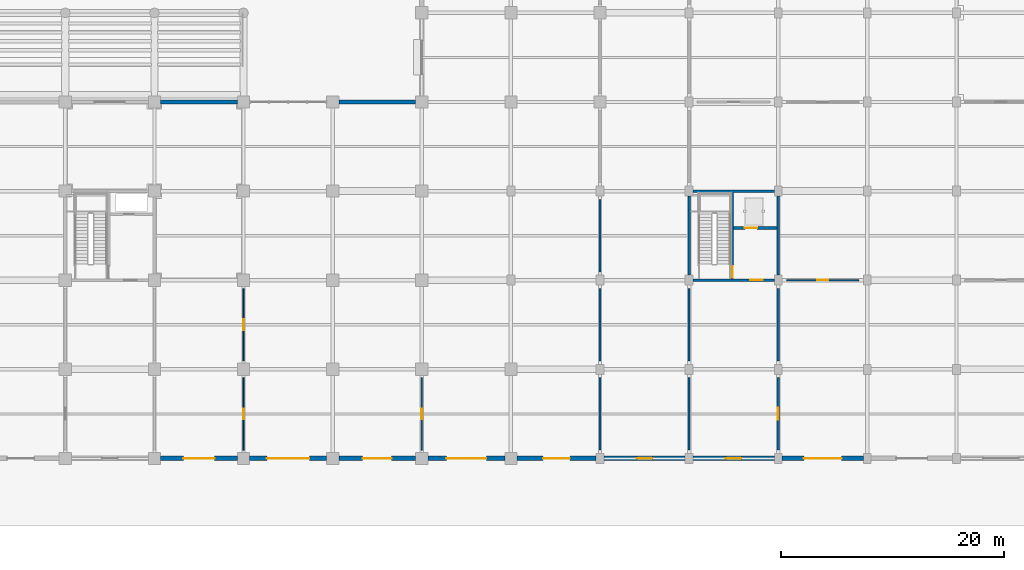
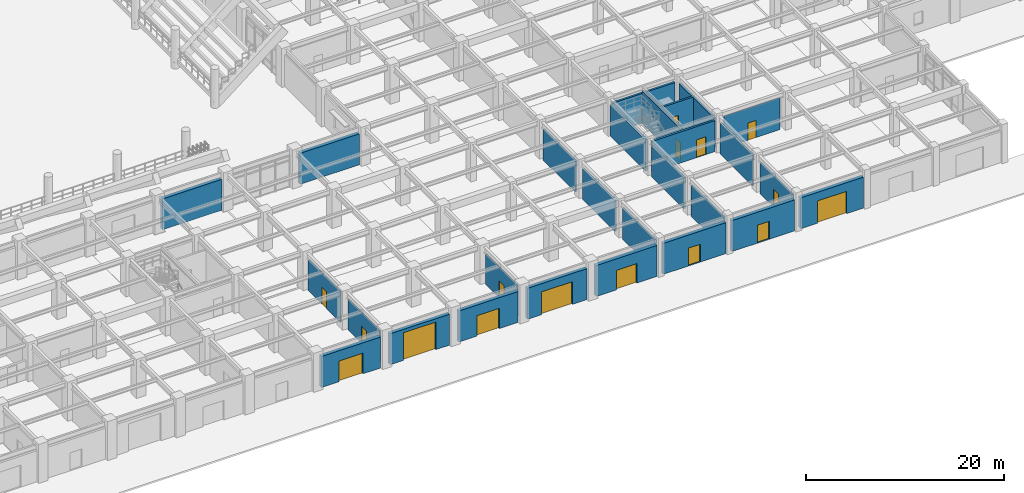
# One storey, part 81 of 125: 27 walls, 16 doors, 16 openings.
"""IFC4 building model written with IfcOpenShell, lengths in metres."""

from ifc_helpers import new_model, si_unit, direction, frame, frame_2d, origin, place, context, subcontext, project, spatial, rectangle, extrude, material, layer, layer_set, type_object, element, fill, save


model = new_model("IFC4")

# Units and contexts
model_context = context("Model", 3, precision=1e-05, world=origin(), true_north=direction((0.0, 1.0)))
body_context = subcontext(model_context, "Body", "Model", "MODEL_VIEW")
ifc_project = project(units=[si_unit("LENGTHUNIT", "METRE"), si_unit("AREAUNIT", "SQUARE_METRE"), si_unit("VOLUMEUNIT", "CUBIC_METRE"), si_unit("PLANEANGLEUNIT", "RADIAN"), si_unit("MASSUNIT", "GRAM", prefix="KILO")], contexts=[model_context])

# Site, building, storey
site_placement = place(None, origin())
site = spatial("IfcSite", under=ifc_project, at=site_placement, CompositionType="ELEMENT")
building_placement = place(site_placement, origin())
building = spatial("IfcBuilding", under=site, at=building_placement, Name="Haebicheon Civic Stadium", CompositionType="ELEMENT")
storey_placement = place(building_placement, origin())
storey = spatial("IfcBuildingStorey", under=building, at=storey_placement, Name="L01", CompositionType="ELEMENT", Elevation=0.0)

# Wall, opening, door
ifc_material_1 = material(Name="Concrete C40/50", Category="concrete")
ifc_layer_1 = layer(ifc_material_1, 0.239990234375, Name="Concrete C40/50")
ifc_layer_set_1 = layer_set([ifc_layer_1], Name="Concrete C40/50")
wall_type_1 = type_object("IfcWallType", Name="CW-SHR-240", PredefinedType="SHEAR", material=ifc_layer_set_1)
wall_1_placement = place(storey_placement, frame((168.35009765625, 16.0, 0.0), z_axis=(0.0, 0.0, 1.0), x_axis=(1.0, 0.0, 0.0)))
wall_1 = element("IfcWall", 1, at=wall_1_placement, inside=storey, type_object=wall_type_1, material=ifc_layer_set_1, Name="KC-14 L01 south core shear wall", PredefinedType="SHEAR", context=body_context, shape_type="SweptSolid", body=[
    extrude(rectangle(XDim=7.2998046875, YDim=0.239990234375, at=frame_2d((3.64990234375, 0.0))), origin(), (0.0, 0.0, 1.0), 3.81005859375),
])
opening_1_placement = place(wall_1_placement, frame((5.14990234375, 0.0, 0.0)))
opening_1 = element("IfcOpeningElement", 2, at=opening_1_placement, cuts=wall_1, Name="Opening D-L01-KC-14-LOB", PredefinedType="OPENING", context=body_context, shape_type="SweptSolid", body=[
    extrude(rectangle(XDim=1.10009765625, YDim=2.199951171875, at=frame_2d((0.550048828125, 1.10009765625))), frame((0.0, 0.1298828125, 0.0), z_axis=(0.0, -1.0, 0.0), x_axis=(1.0, 0.0, 0.0)), (0.0, 0.0, 1.0), 0.260009765625),
])
ifc_material_2 = material(Name="Galvanised painted steel SM355", Category="steel")
door_type_1 = type_object("IfcDoorType", Name="ID-FD-1100", OperationType="NOTDEFINED", PredefinedType="DOOR", material=ifc_material_2)
door_1_placement = place(opening_1_placement, origin())
door_1 = element("IfcDoor", 3, at=door_1_placement, inside=storey, type_object=door_type_1, material=ifc_material_2, Name="L01 KC-14 lobby fire door", OperationType="SINGLE_SWING_RIGHT", OverallHeight=2.199951171875, OverallWidth=1.10009765625, PredefinedType="DOOR", context=body_context, shape_type="SweptSolid", body=[
    extrude(rectangle(XDim=1.10009765625, YDim=2.199951171875, at=frame_2d((0.550048828125, 1.10009765625))), frame((0.0, 0.02490234375, 0.0), z_axis=(0.0, -1.0, 0.0), x_axis=(1.0, 0.0, 0.0)), (0.0, 0.0, 1.0), 0.050048828125),
])
fill(opening_1, door_1)

# Walls
wall_2_placement = place(storey_placement, frame((168.35009765625, 24.0, 0.0), z_axis=(0.0, 0.0, 1.0), x_axis=(1.0, 0.0, 0.0)))
element("IfcWall", 4, at=wall_2_placement, inside=storey, type_object=wall_type_1, material=ifc_layer_set_1, Name="KC-14 L01 north core shear wall", PredefinedType="SHEAR", context=body_context, shape_type="SweptSolid", body=[
    extrude(rectangle(XDim=7.2998046875, YDim=0.239990234375, at=frame_2d((3.64990234375, 0.0))), origin(), (0.0, 0.0, 1.0), 3.659912109375),
])
wall_3_placement = place(storey_placement, frame((168.0, 16.449951171875, 0.0), z_axis=(0.0, 0.0, 1.0), x_axis=(0.0, 1.0, 0.0)))
element("IfcWall", 5, at=wall_3_placement, inside=storey, type_object=wall_type_1, material=ifc_layer_set_1, Name="KC-14 L01 west core shear wall", PredefinedType="SHEAR", context=body_context, shape_type="SweptSolid", body=[
    extrude(rectangle(XDim=7.10009765625, YDim=0.239990234375, at=frame_2d((3.550048828125, 0.0))), origin(), (0.0, 0.0, 1.0), 3.81005859375),
])
wall_4_placement = place(storey_placement, frame((176.0, 16.449951171875, 0.0), z_axis=(0.0, 0.0, 1.0), x_axis=(0.0, 1.0, 0.0)))
element("IfcWall", 6, at=wall_4_placement, inside=storey, type_object=wall_type_1, material=ifc_layer_set_1, Name="KC-14 L01 east core shear wall", PredefinedType="SHEAR", context=body_context, shape_type="SweptSolid", body=[
    extrude(rectangle(XDim=7.10009765625, YDim=0.239990234375, at=frame_2d((3.550048828125, 0.0))), origin(), (0.0, 0.0, 1.0), 3.659912109375),
])

# Wall, opening, door
wall_5_placement = place(storey_placement, frame((171.8798828125, 16.1201171875, 0.0), z_axis=(0.0, 0.0, 1.0), x_axis=(0.0, 1.0, 0.0)))
wall_5 = element("IfcWall", 7, at=wall_5_placement, inside=storey, type_object=wall_type_1, material=ifc_layer_set_1, Name="KC-14 L01 stair-lobby dividing shear wall", PredefinedType="SHEAR", context=body_context, shape_type="SweptSolid", body=[
    extrude(rectangle(XDim=7.759765625, YDim=0.239990234375, at=frame_2d((3.8798828125, 0.0))), origin(), (0.0, 0.0, 1.0), 4.010009765625),
])
opening_2_placement = place(wall_5_placement, frame((0.080078125, 0.0, 0.0)))
opening_2 = element("IfcOpeningElement", 8, at=opening_2_placement, cuts=wall_5, Name="Opening D-L01-KC-14-STR", PredefinedType="OPENING", context=body_context, shape_type="SweptSolid", body=[
    extrude(rectangle(XDim=1.050048828125, YDim=2.14990234375, at=frame_2d((0.52490234375, 1.074951171875))), frame((0.0, 0.1298828125, 0.0), z_axis=(0.0, -1.0, 0.0), x_axis=(1.0, 0.0, 0.0)), (0.0, 0.0, 1.0), 0.260009765625),
])
ifc_material_3 = material(Name="Galvanised painted steel SM355", Category="steel")
door_type_2 = type_object("IfcDoorType", Name="ID-FD-1050", OperationType="NOTDEFINED", PredefinedType="DOOR", material=ifc_material_3)
door_2_placement = place(opening_2_placement, origin())
door_2 = element("IfcDoor", 9, at=door_2_placement, inside=storey, type_object=door_type_2, material=ifc_material_3, Name="L01 ST-14 stairwell escape door", OperationType="SINGLE_SWING_LEFT", OverallHeight=2.14990234375, OverallWidth=1.050048828125, PredefinedType="DOOR", context=body_context, shape_type="SweptSolid", body=[
    extrude(rectangle(XDim=1.050048828125, YDim=2.14990234375, at=frame_2d((0.52490234375, 1.074951171875))), frame((0.0, 0.02490234375, 0.0), z_axis=(0.0, -1.0, 0.0), x_axis=(1.0, 0.0, 0.0)), (0.0, 0.0, 1.0), 0.050048828125),
])
fill(opening_2, door_2)

wall_6_placement = place(storey_placement, frame((172.0, 20.679931640625, 0.0), z_axis=(0.0, 0.0, 1.0), x_axis=(1.0, 0.0, 0.0)))
wall_6 = element("IfcWall", 10, at=wall_6_placement, inside=storey, type_object=wall_type_1, material=ifc_layer_set_1, Name="KC-14 L01 lift shaft front wall", PredefinedType="SHEAR", context=body_context, shape_type="SweptSolid", body=[
    extrude(rectangle(XDim=3.8798828125, YDim=0.239990234375, at=frame_2d((1.93994140625, 0.0))), origin(), (0.0, 0.0, 1.0), 3.81005859375),
])
opening_3_placement = place(wall_6_placement, frame((1.0, 0.0, 0.0)))
opening_3 = element("IfcOpeningElement", 11, at=opening_3_placement, cuts=wall_6, Name="Opening LD-10-L01", PredefinedType="OPENING", context=body_context, shape_type="SweptSolid", body=[
    extrude(rectangle(XDim=1.10009765625, YDim=2.14990234375, at=frame_2d((0.550048828125, 1.074951171875))), frame((0.0, 0.1298828125, 0.0), z_axis=(0.0, -1.0, 0.0), x_axis=(1.0, 0.0, 0.0)), (0.0, 0.0, 1.0), 0.260009765625),
])
ifc_material_4 = material(Name="Stainless steel 316", Category="steel")
door_type_3 = type_object("IfcDoorType", Name="ID-LD-1100", OperationType="NOTDEFINED", PredefinedType="DOOR", material=ifc_material_4)
door_3_placement = place(opening_3_placement, origin())
door_3 = element("IfcDoor", 12, at=door_3_placement, inside=storey, type_object=door_type_3, material=ifc_material_4, Name="LF-10 lift landing sliding door L01", OperationType="SLIDING_TO_LEFT", OverallHeight=2.14990234375, OverallWidth=1.10009765625, PredefinedType="DOOR", context=body_context, shape_type="SweptSolid", body=[
    extrude(rectangle(XDim=1.10009765625, YDim=2.14990234375, at=frame_2d((0.550048828125, 1.074951171875))), frame((0.0, 0.02490234375, 0.0), z_axis=(0.0, -1.0, 0.0), x_axis=(1.0, 0.0, 0.0)), (0.0, 0.0, 1.0), 0.050048828125),
])
fill(opening_3, door_3)

ifc_material_5 = material(Name="Concrete C40/50", Category="concrete")
ifc_layer_2 = layer(ifc_material_5, 0.39990234375, Name="Concrete C40/50")
ifc_layer_set_2 = layer_set([ifc_layer_2], Name="Concrete C40/50")
wall_type_2 = type_object("IfcWallType", Name="EW-BM-400", PredefinedType="SOLIDWALL", material=ifc_layer_set_2)
wall_7_placement = place(storey_placement, frame((120.550048828125, 0.0, 0.0), z_axis=(0.0, 0.0, 1.0), x_axis=(1.0, 0.0, 0.0)))
wall_7 = element("IfcWall", 13, at=wall_7_placement, inside=storey, type_object=wall_type_2, material=ifc_layer_set_2, Name="L01 board-marked concrete facade wall 15-00-S", PredefinedType="SOLIDWALL", context=body_context, shape_type="SweptSolid", body=[
    extrude(rectangle(XDim=6.89990234375, YDim=0.39990234375, at=frame_2d((3.449951171875, 0.0))), origin(), (0.0, 0.0, 1.0), 3.81005859375),
])
opening_4_placement = place(wall_7_placement, frame((2.050048828125, 0.0, 0.0)))
opening_4 = element("IfcOpeningElement", 14, at=opening_4_placement, cuts=wall_7, Name="Opening G09", PredefinedType="OPENING", context=body_context, shape_type="SweptSolid", body=[
    extrude(rectangle(XDim=2.800048828125, YDim=2.550048828125, at=frame_2d((1.39990234375, 1.27490234375))), frame((0.0, 0.2099609375, 0.0), z_axis=(0.0, -1.0, 0.0), x_axis=(1.0, 0.0, 0.0)), (0.0, 0.0, 1.0), 0.419921875),
])
ifc_material_6 = material(Name="Anodised aluminium 6063-T6", Category="aluminium")
door_type_4 = type_object("IfcDoorType", Name="ED-GATE-2800", OperationType="NOTDEFINED", PredefinedType="DOOR", material=ifc_material_6)
door_4_placement = place(opening_4_placement, origin())
door_4 = element("IfcDoor", 15, at=door_4_placement, inside=storey, type_object=door_type_4, material=ifc_material_6, Name="Pedestrian exit gate G9", OperationType="DOUBLE_SWING_LEFT", OverallHeight=2.550048828125, OverallWidth=2.800048828125, PredefinedType="DOOR", context=body_context, shape_type="SweptSolid", body=[
    extrude(rectangle(XDim=2.800048828125, YDim=2.550048828125, at=frame_2d((1.39990234375, 1.27490234375))), frame((0.0, 0.02490234375, 0.0), z_axis=(0.0, -1.0, 0.0), x_axis=(1.0, 0.0, 0.0)), (0.0, 0.0, 1.0), 0.050048828125),
])
fill(opening_4, door_4)

# Wall
wall_8_placement = place(storey_placement, frame((120.550048828125, 32.0, 0.0), z_axis=(0.0, 0.0, 1.0), x_axis=(1.0, 0.0, 0.0)))
element("IfcWall", 16, at=wall_8_placement, inside=storey, type_object=wall_type_2, material=ifc_layer_set_2, Name="L01 board-marked concrete facade wall 15-04-N", PredefinedType="SOLIDWALL", context=body_context, shape_type="SweptSolid", body=[
    extrude(rectangle(XDim=6.89990234375, YDim=0.39990234375, at=frame_2d((3.449951171875, 0.0))), origin(), (0.0, 0.0, 1.0), 3.81005859375),
])

# Wall, opening, door
wall_9_placement = place(storey_placement, frame((128.550048828125, 0.0, 0.0), z_axis=(0.0, 0.0, 1.0), x_axis=(1.0, 0.0, 0.0)))
wall_9 = element("IfcWall", 17, at=wall_9_placement, inside=storey, type_object=wall_type_2, material=ifc_layer_set_2, Name="L01 board-marked concrete facade wall 16-00-S", PredefinedType="SOLIDWALL", context=body_context, shape_type="SweptSolid", body=[
    extrude(rectangle(XDim=6.89990234375, YDim=0.39990234375, at=frame_2d((3.449951171875, 0.0))), origin(), (0.0, 0.0, 1.0), 3.81005859375),
])
opening_5_placement = place(wall_9_placement, frame((1.550048828125, 0.0, 0.0)))
opening_5 = element("IfcOpeningElement", 18, at=opening_5_placement, cuts=wall_9, Name="Opening DS04", PredefinedType="OPENING", context=body_context, shape_type="SweptSolid", body=[
    extrude(rectangle(XDim=3.800048828125, YDim=3.39990234375, at=frame_2d((1.89990234375, 1.699951171875))), frame((0.0, 0.2099609375, 0.0), z_axis=(0.0, -1.0, 0.0), x_axis=(1.0, 0.0, 0.0)), (0.0, 0.0, 1.0), 0.419921875),
])
ifc_material_7 = material(Name="Galvanised painted steel SM355", Category="steel")
door_type_5 = type_object("IfcDoorType", Name="ED-DOCK-3800", OperationType="NOTDEFINED", PredefinedType="GATE", material=ifc_material_7)
door_5_placement = place(opening_5_placement, origin())
door_5 = element("IfcDoor", 19, at=door_5_placement, inside=storey, type_object=door_type_5, material=ifc_material_7, Name="Loading dock roller shutter DS4", OperationType="ROLLINGUP", OverallHeight=3.39990234375, OverallWidth=3.800048828125, PredefinedType="GATE", context=body_context, shape_type="SweptSolid", body=[
    extrude(rectangle(XDim=3.800048828125, YDim=3.39990234375, at=frame_2d((1.89990234375, 1.699951171875))), frame((0.0, 0.02490234375, 0.0), z_axis=(0.0, -1.0, 0.0), x_axis=(1.0, 0.0, 0.0)), (0.0, 0.0, 1.0), 0.050048828125),
])
fill(opening_5, door_5)

wall_10_placement = place(storey_placement, frame((136.550048828125, 0.0, 0.0), z_axis=(0.0, 0.0, 1.0), x_axis=(1.0, 0.0, 0.0)))
wall_10 = element("IfcWall", 20, at=wall_10_placement, inside=storey, type_object=wall_type_2, material=ifc_layer_set_2, Name="L01 board-marked concrete facade wall 17-00-S", PredefinedType="SOLIDWALL", context=body_context, shape_type="SweptSolid", body=[
    extrude(rectangle(XDim=6.89990234375, YDim=0.39990234375, at=frame_2d((3.449951171875, 0.0))), origin(), (0.0, 0.0, 1.0), 3.81005859375),
])
opening_6_placement = place(wall_10_placement, frame((2.14990234375, 0.0, 0.0)))
opening_6 = element("IfcOpeningElement", 21, at=opening_6_placement, cuts=wall_10, Name="Opening G10", PredefinedType="OPENING", context=body_context, shape_type="SweptSolid", body=[
    extrude(rectangle(XDim=2.60009765625, YDim=2.5, at=frame_2d((1.300048828125, 1.25))), frame((0.0, 0.2099609375, 0.0), z_axis=(0.0, -1.0, 0.0), x_axis=(1.0, 0.0, 0.0)), (0.0, 0.0, 1.0), 0.419921875),
])
ifc_material_8 = material(Name="Anodised aluminium 6063-T6", Category="aluminium")
door_type_6 = type_object("IfcDoorType", Name="ED-GATE-2600", OperationType="NOTDEFINED", PredefinedType="DOOR", material=ifc_material_8)
door_6_placement = place(opening_6_placement, origin())
door_6 = element("IfcDoor", 22, at=door_6_placement, inside=storey, type_object=door_type_6, material=ifc_material_8, Name="Pedestrian exit gate G10", OperationType="DOUBLE_SWING_LEFT", OverallHeight=2.5, OverallWidth=2.60009765625, PredefinedType="DOOR", context=body_context, shape_type="SweptSolid", body=[
    extrude(rectangle(XDim=2.60009765625, YDim=2.5, at=frame_2d((1.300048828125, 1.25))), frame((0.0, 0.02490234375, 0.0), z_axis=(0.0, -1.0, 0.0), x_axis=(1.0, 0.0, 0.0)), (0.0, 0.0, 1.0), 0.050048828125),
])
fill(opening_6, door_6)

# Wall
wall_11_placement = place(storey_placement, frame((136.550048828125, 32.0, 0.0), z_axis=(0.0, 0.0, 1.0), x_axis=(1.0, 0.0, 0.0)))
element("IfcWall", 23, at=wall_11_placement, inside=storey, type_object=wall_type_2, material=ifc_layer_set_2, Name="L01 board-marked concrete facade wall 17-04-N", PredefinedType="SOLIDWALL", context=body_context, shape_type="SweptSolid", body=[
    extrude(rectangle(XDim=6.89990234375, YDim=0.39990234375, at=frame_2d((3.449951171875, 0.0))), origin(), (0.0, 0.0, 1.0), 3.81005859375),
])

# Wall, opening, door
wall_12_placement = place(storey_placement, frame((144.550048828125, 0.0, 0.0), z_axis=(0.0, 0.0, 1.0), x_axis=(1.0, 0.0, 0.0)))
wall_12 = element("IfcWall", 24, at=wall_12_placement, inside=storey, type_object=wall_type_2, material=ifc_layer_set_2, Name="L01 board-marked concrete facade wall 18-00-S", PredefinedType="SOLIDWALL", context=body_context, shape_type="SweptSolid", body=[
    extrude(rectangle(XDim=6.89990234375, YDim=0.39990234375, at=frame_2d((3.449951171875, 0.0))), origin(), (0.0, 0.0, 1.0), 3.81005859375),
])
opening_7_placement = place(wall_12_placement, frame((1.64990234375, 0.0, 0.0)))
opening_7 = element("IfcOpeningElement", 25, at=opening_7_placement, cuts=wall_12, Name="Opening E09", PredefinedType="OPENING", context=body_context, shape_type="SweptSolid", body=[
    extrude(rectangle(XDim=3.60009765625, YDim=2.800048828125, at=frame_2d((1.800048828125, 1.39990234375))), frame((0.0, 0.2099609375, 0.0), z_axis=(0.0, -1.0, 0.0), x_axis=(1.0, 0.0, 0.0)), (0.0, 0.0, 1.0), 0.419921875),
])
ifc_material_9 = material(Name="Anodised aluminium and laminated glass", Category="aluminium")
door_type_7 = type_object("IfcDoorType", Name="ED-MAIN-3600", OperationType="NOTDEFINED", PredefinedType="DOOR", material=ifc_material_9)
door_7_placement = place(opening_7_placement, origin())
door_7 = element("IfcDoor", 26, at=door_7_placement, inside=storey, type_object=door_type_7, material=ifc_material_9, Name="Main entrance E9", OperationType="DOUBLE_SWING_LEFT", OverallHeight=2.800048828125, OverallWidth=3.60009765625, PredefinedType="DOOR", context=body_context, shape_type="SweptSolid", body=[
    extrude(rectangle(XDim=3.60009765625, YDim=2.800048828125, at=frame_2d((1.800048828125, 1.39990234375))), frame((0.0, 0.02490234375, 0.0), z_axis=(0.0, -1.0, 0.0), x_axis=(1.0, 0.0, 0.0)), (0.0, 0.0, 1.0), 0.050048828125),
])
fill(opening_7, door_7)

wall_13_placement = place(storey_placement, frame((152.550048828125, 0.0, 0.0), z_axis=(0.0, 0.0, 1.0), x_axis=(1.0, 0.0, 0.0)))
wall_13 = element("IfcWall", 27, at=wall_13_placement, inside=storey, type_object=wall_type_2, material=ifc_layer_set_2, Name="L01 board-marked concrete facade wall 19-00-S", PredefinedType="SOLIDWALL", context=body_context, shape_type="SweptSolid", body=[
    extrude(rectangle(XDim=7.099853515625, YDim=0.39990234375, at=frame_2d((3.5498046875, 0.0))), origin(), (0.0, 0.0, 1.0), 3.81005859375),
])
opening_8_placement = place(wall_13_placement, frame((2.35009765625, 0.0, 0.0)))
opening_8 = element("IfcOpeningElement", 28, at=opening_8_placement, cuts=wall_13, Name="Opening G11", PredefinedType="OPENING", context=body_context, shape_type="SweptSolid", body=[
    extrude(rectangle(XDim=2.39990234375, YDim=2.39990234375, at=frame_2d((1.199951171875, 1.199951171875))), frame((0.0, 0.2099609375, 0.0), z_axis=(0.0, -1.0, 0.0), x_axis=(1.0, 0.0, 0.0)), (0.0, 0.0, 1.0), 0.419921875),
])
ifc_material_10 = material(Name="Anodised aluminium 6063-T6", Category="aluminium")
door_type_8 = type_object("IfcDoorType", Name="ED-GATE-2400", OperationType="NOTDEFINED", PredefinedType="DOOR", material=ifc_material_10)
door_8_placement = place(opening_8_placement, origin())
door_8 = element("IfcDoor", 29, at=door_8_placement, inside=storey, type_object=door_type_8, material=ifc_material_10, Name="Pedestrian exit gate G11", OperationType="DOUBLE_SWING_LEFT", OverallHeight=2.39990234375, OverallWidth=2.39990234375, PredefinedType="DOOR", context=body_context, shape_type="SweptSolid", body=[
    extrude(rectangle(XDim=2.39990234375, YDim=2.39990234375, at=frame_2d((1.199951171875, 1.199951171875))), frame((0.0, 0.02490234375, 0.0), z_axis=(0.0, -1.0, 0.0), x_axis=(1.0, 0.0, 0.0)), (0.0, 0.0, 1.0), 0.050048828125),
])
fill(opening_8, door_8)

wall_14_placement = place(storey_placement, frame((167.64990234375, 0.0, 0.0), z_axis=(0.0, 0.0, 1.0), x_axis=(-1.0, 0.0, 0.0)))
wall_14 = element("IfcWall", 30, at=wall_14_placement, inside=storey, type_object=wall_type_2, material=ifc_layer_set_2, Name="L01 board-marked concrete facade wall 20-00-S", PredefinedType="SOLIDWALL", context=body_context, shape_type="SweptSolid", body=[
    extrude(rectangle(XDim=7.2998046875, YDim=0.39990234375, at=frame_2d((3.64990234375, 0.0))), origin(), (0.0, 0.0, 1.0), 3.81005859375),
])
opening_9_placement = place(wall_14_placement, frame((2.949951171875, 0.0, 0.0)))
opening_9 = element("IfcOpeningElement", 31, at=opening_9_placement, cuts=wall_14, Name="Opening DX14", PredefinedType="OPENING", context=body_context, shape_type="SweptSolid", body=[
    extrude(rectangle(XDim=1.39990234375, YDim=2.199951171875, at=frame_2d((0.699951171875, 1.10009765625))), frame((0.0, 0.2099609375, 0.0), z_axis=(0.0, -1.0, 0.0), x_axis=(1.0, 0.0, 0.0)), (0.0, 0.0, 1.0), 0.419921875),
])
ifc_material_11 = material(Name="Galvanised painted steel SM355", Category="steel")
door_type_9 = type_object("IfcDoorType", Name="ED-EXIT-1400", OperationType="NOTDEFINED", PredefinedType="DOOR", material=ifc_material_11)
door_9_placement = place(opening_9_placement, origin())
door_9 = element("IfcDoor", 32, at=door_9_placement, inside=storey, type_object=door_type_9, material=ifc_material_11, Name="Protected exit passage final exit door DX14", OperationType="SINGLE_SWING_LEFT", OverallHeight=2.199951171875, OverallWidth=1.39990234375, PredefinedType="DOOR", context=body_context, shape_type="SweptSolid", body=[
    extrude(rectangle(XDim=1.39990234375, YDim=2.199951171875, at=frame_2d((0.699951171875, 1.10009765625))), frame((0.0, 0.02490234375, 0.0), z_axis=(0.0, -1.0, 0.0), x_axis=(1.0, 0.0, 0.0)), (0.0, 0.0, 1.0), 0.050048828125),
])
fill(opening_9, door_9)

wall_15_placement = place(storey_placement, frame((175.64990234375, 0.0, 0.0), z_axis=(0.0, 0.0, 1.0), x_axis=(-1.0, 0.0, 0.0)))
wall_15 = element("IfcWall", 33, at=wall_15_placement, inside=storey, type_object=wall_type_2, material=ifc_layer_set_2, Name="L01 board-marked concrete facade wall 21-00-S", PredefinedType="SOLIDWALL", context=body_context, shape_type="SweptSolid", body=[
    extrude(rectangle(XDim=7.2998046875, YDim=0.39990234375, at=frame_2d((3.64990234375, 0.0))), origin(), (0.0, 0.0, 1.0), 3.81005859375),
])
opening_10_placement = place(wall_15_placement, frame((2.949951171875, 0.0, 0.0)))
opening_10 = element("IfcOpeningElement", 34, at=opening_10_placement, cuts=wall_15, Name="Opening DX09", PredefinedType="OPENING", context=body_context, shape_type="SweptSolid", body=[
    extrude(rectangle(XDim=1.39990234375, YDim=2.199951171875, at=frame_2d((0.699951171875, 1.10009765625))), frame((0.0, 0.2099609375, 0.0), z_axis=(0.0, -1.0, 0.0), x_axis=(1.0, 0.0, 0.0)), (0.0, 0.0, 1.0), 0.419921875),
])
door_10_placement = place(opening_10_placement, origin())
door_10 = element("IfcDoor", 35, at=door_10_placement, inside=storey, type_object=door_type_9, material=ifc_material_11, Name="Protected exit passage final exit door DX09", OperationType="SINGLE_SWING_LEFT", OverallHeight=2.199951171875, OverallWidth=1.39990234375, PredefinedType="DOOR", context=body_context, shape_type="SweptSolid", body=[
    extrude(rectangle(XDim=1.39990234375, YDim=2.199951171875, at=frame_2d((0.699951171875, 1.10009765625))), frame((0.0, 0.02490234375, 0.0), z_axis=(0.0, -1.0, 0.0), x_axis=(1.0, 0.0, 0.0)), (0.0, 0.0, 1.0), 0.050048828125),
])
fill(opening_10, door_10)

wall_16_placement = place(storey_placement, frame((176.35009765625, 0.0, 0.0), z_axis=(0.0, 0.0, 1.0), x_axis=(1.0, 0.0, 0.0)))
wall_16 = element("IfcWall", 36, at=wall_16_placement, inside=storey, type_object=wall_type_2, material=ifc_layer_set_2, Name="L01 board-marked concrete facade wall 22-00-S", PredefinedType="SOLIDWALL", context=body_context, shape_type="SweptSolid", body=[
    extrude(rectangle(XDim=7.2998046875, YDim=0.39990234375, at=frame_2d((3.64990234375, 0.0))), origin(), (0.0, 0.0, 1.0), 3.81005859375),
])
opening_11_placement = place(wall_16_placement, frame((1.949951171875, 0.0, 0.0)))
opening_11 = element("IfcOpeningElement", 37, at=opening_11_placement, cuts=wall_16, Name="Opening E10", PredefinedType="OPENING", context=body_context, shape_type="SweptSolid", body=[
    extrude(rectangle(XDim=3.39990234375, YDim=2.75, at=frame_2d((1.699951171875, 1.375))), frame((0.0, 0.2099609375, 0.0), z_axis=(0.0, -1.0, 0.0), x_axis=(1.0, 0.0, 0.0)), (0.0, 0.0, 1.0), 0.419921875),
])
ifc_material_12 = material(Name="Anodised aluminium and laminated glass", Category="aluminium")
door_type_10 = type_object("IfcDoorType", Name="ED-MAIN-3400", OperationType="NOTDEFINED", PredefinedType="DOOR", material=ifc_material_12)
door_11_placement = place(opening_11_placement, origin())
door_11 = element("IfcDoor", 38, at=door_11_placement, inside=storey, type_object=door_type_10, material=ifc_material_12, Name="Main entrance E10", OperationType="DOUBLE_SWING_LEFT", OverallHeight=2.75, OverallWidth=3.39990234375, PredefinedType="DOOR", context=body_context, shape_type="SweptSolid", body=[
    extrude(rectangle(XDim=3.39990234375, YDim=2.75, at=frame_2d((1.699951171875, 1.375))), frame((0.0, 0.02490234375, 0.0), z_axis=(0.0, -1.0, 0.0), x_axis=(1.0, 0.0, 0.0)), (0.0, 0.0, 1.0), 0.050048828125),
])
fill(opening_11, door_11)

# Wall
ifc_material_13 = material(Name="Concrete C35/45", Category="concrete")
ifc_layer_3 = layer(ifc_material_13, 0.199951171875, Name="Concrete C35/45")
ifc_layer_set_3 = layer_set([ifc_layer_3], Name="Concrete C35/45")
wall_type_3 = type_object("IfcWallType", Name="IW-FIR-200", PredefinedType="PARTITIONING", material=ifc_layer_set_3)
wall_17_placement = place(storey_placement, frame((168.0, 0.75, 0.0), z_axis=(0.0, 0.0, 1.0), x_axis=(0.0, 1.0, 0.0)))
element("IfcWall", 39, at=wall_17_placement, inside=storey, type_object=wall_type_3, material=ifc_layer_set_3, Name="L01 KC-14 protected exit passage EI 120 wall 01", PredefinedType="PARTITIONING", context=body_context, shape_type="SweptSolid", body=[
    extrude(rectangle(XDim=6.5, YDim=0.199951171875, at=frame_2d((3.25, 0.0))), origin(), (0.0, 0.0, 1.0), 3.81005859375),
])

# Wall, opening, door
wall_18_placement = place(storey_placement, frame((176.0, 0.75, 0.0), z_axis=(0.0, 0.0, 1.0), x_axis=(0.0, 1.0, 0.0)))
wall_18 = element("IfcWall", 40, at=wall_18_placement, inside=storey, type_object=wall_type_3, material=ifc_layer_set_3, Name="L01 KC-14 protected exit passage EI 120 wall 02", PredefinedType="PARTITIONING", context=body_context, shape_type="SweptSolid", body=[
    extrude(rectangle(XDim=6.5, YDim=0.199951171875, at=frame_2d((3.25, 0.0))), origin(), (0.0, 0.0, 1.0), 3.81005859375),
])
opening_12_placement = place(wall_18_placement, frame((2.699951171875, 0.0, 0.0)))
opening_12 = element("IfcOpeningElement", 41, at=opening_12_placement, cuts=wall_18, Name="Opening D-L01-PXP-09", PredefinedType="OPENING", context=body_context, shape_type="SweptSolid", body=[
    extrude(rectangle(XDim=1.10009765625, YDim=2.199951171875, at=frame_2d((0.550048828125, 1.10009765625))), frame((0.0, 0.10986328125, 0.0), z_axis=(0.0, -1.0, 0.0), x_axis=(1.0, 0.0, 0.0)), (0.0, 0.0, 1.0), 0.219970703125),
])
door_12_placement = place(opening_12_placement, origin())
door_12 = element("IfcDoor", 42, at=door_12_placement, inside=storey, type_object=door_type_1, material=ifc_material_2, Name="L01 KC-14 protected exit passage lobby fire door", OperationType="SINGLE_SWING_LEFT", OverallHeight=2.199951171875, OverallWidth=1.10009765625, PredefinedType="DOOR", context=body_context, shape_type="SweptSolid", body=[
    extrude(rectangle(XDim=1.10009765625, YDim=2.199951171875, at=frame_2d((0.550048828125, 1.10009765625))), frame((0.0, 0.02490234375, 0.0), z_axis=(0.0, -1.0, 0.0), x_axis=(1.0, 0.0, 0.0)), (0.0, 0.0, 1.0), 0.050048828125),
])
fill(opening_12, door_12)

# Walls
for number, where, z_axis, x_axis, name in (
    (43, (168.0, 8.75, 0.0), (0.0, 0.0, 1.0), (0.0, 1.0, 0.0), "L01 KC-14 protected exit passage EI 120 wall 03"),
    (44, (176.0, 8.75, 0.0), (0.0, 0.0, 1.0), (0.0, 1.0, 0.0), "L01 KC-14 protected exit passage EI 120 wall 04"),
    (45, (160.0, 0.75, 0.0), (0.0, 0.0, 1.0), (0.0, 1.0, 0.0), "L01 KC-10 protected exit passage EI 120 wall 03"),
    (46, (160.0, 8.75, 0.0), (0.0, 0.0, 1.0), (0.0, 1.0, 0.0), "L01 KC-10 protected exit passage EI 120 wall 05"),
    (47, (160.0, 16.75, 0.0), (0.0, 0.0, 1.0), (0.0, 1.0, 0.0), "L01 KC-10 protected exit passage EI 120 wall 07"),
):
    element("IfcWall", number, at=place(storey_placement, frame(where, z_axis=z_axis, x_axis=x_axis)), inside=storey, type_object=wall_type_3, material=ifc_layer_set_3, Name=name, PredefinedType="PARTITIONING", context=body_context, shape_type="SweptSolid", body=[
        extrude(rectangle(XDim=6.5, YDim=0.199951171875, at=frame_2d((3.25, 0.0))), origin(), (0.0, 0.0, 1.0), 3.81005859375),
    ])

# Wall, opening, door
ifc_material_14 = material(Name="Anodised aluminium and laminated glass", Category="aluminium")
ifc_layer_4 = layer(ifc_material_14, 0.10009765625, Name="Anodised aluminium and laminated glass")
ifc_layer_set_4 = layer_set([ifc_layer_4], Name="Anodised aluminium and laminated glass")
wall_type_4 = type_object("IfcWallType", Name="IW-PRT-100", PredefinedType="PARTITIONING", material=ifc_layer_set_4)
wall_19_placement = place(storey_placement, frame((176.75, 16.0, 0.0), z_axis=(0.0, 0.0, 1.0), x_axis=(1.0, 0.0, 0.0)))
wall_19 = element("IfcWall", 48, at=wall_19_placement, inside=storey, type_object=wall_type_4, material=ifc_layer_set_4, Name="L01 Hospitality Welcome Lounge partition wall", PredefinedType="PARTITIONING", context=body_context, shape_type="SweptSolid", body=[
    extrude(rectangle(XDim=6.5, YDim=0.10009765625, at=frame_2d((3.25, 0.0))), origin(), (0.0, 0.0, 1.0), 3.909912109375),
])
opening_13_placement = place(wall_19_placement, frame((2.77490234375, 0.0, 0.0)))
opening_13 = element("IfcOpeningElement", 49, at=opening_13_placement, cuts=wall_19, Name="Opening D-L01-159", PredefinedType="OPENING", context=body_context, shape_type="SweptSolid", body=[
    extrude(rectangle(XDim=0.949951171875, YDim=2.10009765625, at=frame_2d((0.47509765625, 1.050048828125))), frame((0.0, 0.06005859375, 0.0), z_axis=(0.0, -1.0, 0.0), x_axis=(1.0, 0.0, 0.0)), (0.0, 0.0, 1.0), 0.1201171875),
])
ifc_material_15 = material(Name="Engineered hardwood timber", Category="wood")
door_type_11 = type_object("IfcDoorType", Name="ID-RM-0950", OperationType="NOTDEFINED", PredefinedType="DOOR", material=ifc_material_15)
door_13_placement = place(opening_13_placement, origin())
door_13 = element("IfcDoor", 50, at=door_13_placement, inside=storey, type_object=door_type_11, material=ifc_material_15, Name="L01 Hospitality Welcome Lounge entrance door D-L01-159", OperationType="SINGLE_SWING_RIGHT", OverallHeight=2.10009765625, OverallWidth=0.949951171875, PredefinedType="DOOR", context=body_context, shape_type="SweptSolid", body=[
    extrude(rectangle(XDim=0.949951171875, YDim=2.10009765625, at=frame_2d((0.47509765625, 1.050048828125))), frame((0.0, 0.02490234375, 0.0), z_axis=(0.0, -1.0, 0.0), x_axis=(1.0, 0.0, 0.0)), (0.0, 0.0, 1.0), 0.050048828125),
])
fill(opening_13, door_13)

wall_20_placement = place(storey_placement, frame((128.0, 0.75, 0.0), z_axis=(0.0, 0.0, 1.0), x_axis=(0.0, 1.0, 0.0)))
wall_20 = element("IfcWall", 51, at=wall_20_placement, inside=storey, type_object=wall_type_4, material=ifc_layer_set_4, Name="L01 Outside Broadcast Compound partition wall", PredefinedType="PARTITIONING", context=body_context, shape_type="SweptSolid", body=[
    extrude(rectangle(XDim=6.5, YDim=0.10009765625, at=frame_2d((3.25, 0.0))), origin(), (0.0, 0.0, 1.0), 3.81005859375),
])
opening_14_placement = place(wall_20_placement, frame((2.77490234375, 0.0, 0.0)))
opening_14 = element("IfcOpeningElement", 52, at=opening_14_placement, cuts=wall_20, Name="Opening D-L01-185", PredefinedType="OPENING", context=body_context, shape_type="SweptSolid", body=[
    extrude(rectangle(XDim=0.949951171875, YDim=2.10009765625, at=frame_2d((0.47509765625, 1.050048828125))), frame((0.0, 0.06005859375, 0.0), z_axis=(0.0, -1.0, 0.0), x_axis=(1.0, 0.0, 0.0)), (0.0, 0.0, 1.0), 0.1201171875),
])
door_14_placement = place(opening_14_placement, origin())
door_14 = element("IfcDoor", 53, at=door_14_placement, inside=storey, type_object=door_type_11, material=ifc_material_15, Name="L01 Outside Broadcast Compound entrance door D-L01-185", OperationType="SINGLE_SWING_RIGHT", OverallHeight=2.10009765625, OverallWidth=0.949951171875, PredefinedType="DOOR", context=body_context, shape_type="SweptSolid", body=[
    extrude(rectangle(XDim=0.949951171875, YDim=2.10009765625, at=frame_2d((0.47509765625, 1.050048828125))), frame((0.0, 0.02490234375, 0.0), z_axis=(0.0, -1.0, 0.0), x_axis=(1.0, 0.0, 0.0)), (0.0, 0.0, 1.0), 0.050048828125),
])
fill(opening_14, door_14)

wall_21_placement = place(storey_placement, frame((144.0, 0.75, 0.0), z_axis=(0.0, 0.0, 1.0), x_axis=(0.0, 1.0, 0.0)))
wall_21 = element("IfcWall", 54, at=wall_21_placement, inside=storey, type_object=wall_type_4, material=ifc_layer_set_4, Name="L01 Turf Grow-Light Maintenance Bay partition wall", PredefinedType="PARTITIONING", context=body_context, shape_type="SweptSolid", body=[
    extrude(rectangle(XDim=6.5, YDim=0.10009765625, at=frame_2d((3.25, 0.0))), origin(), (0.0, 0.0, 1.0), 3.81005859375),
])
opening_15_placement = place(wall_21_placement, frame((2.77490234375, 0.0, 0.0)))
opening_15 = element("IfcOpeningElement", 55, at=opening_15_placement, cuts=wall_21, Name="Opening D-L01-187", PredefinedType="OPENING", context=body_context, shape_type="SweptSolid", body=[
    extrude(rectangle(XDim=0.949951171875, YDim=2.10009765625, at=frame_2d((0.47509765625, 1.050048828125))), frame((0.0, 0.06005859375, 0.0), z_axis=(0.0, -1.0, 0.0), x_axis=(1.0, 0.0, 0.0)), (0.0, 0.0, 1.0), 0.1201171875),
])
door_15_placement = place(opening_15_placement, origin())
door_15 = element("IfcDoor", 56, at=door_15_placement, inside=storey, type_object=door_type_11, material=ifc_material_15, Name="L01 Turf Grow-Light Maintenance Bay entrance door D-L01-187", OperationType="SINGLE_SWING_RIGHT", OverallHeight=2.10009765625, OverallWidth=0.949951171875, PredefinedType="DOOR", context=body_context, shape_type="SweptSolid", body=[
    extrude(rectangle(XDim=0.949951171875, YDim=2.10009765625, at=frame_2d((0.47509765625, 1.050048828125))), frame((0.0, 0.02490234375, 0.0), z_axis=(0.0, -1.0, 0.0), x_axis=(1.0, 0.0, 0.0)), (0.0, 0.0, 1.0), 0.050048828125),
])
fill(opening_15, door_15)

ifc_material_16 = material(Name="Gypsum plasterboard on steel studs", Category="gypsum")
ifc_layer_5 = layer(ifc_material_16, 0.1201171875, Name="Gypsum plasterboard on steel studs")
ifc_layer_set_5 = layer_set([ifc_layer_5], Name="Gypsum plasterboard on steel studs")
wall_type_5 = type_object("IfcWallType", Name="IW-PRT-120", PredefinedType="PARTITIONING", material=ifc_layer_set_5)
wall_22_placement = place(storey_placement, frame((128.0, 8.75, 0.0), z_axis=(0.0, 0.0, 1.0), x_axis=(0.0, 1.0, 0.0)))
wall_22 = element("IfcWall", 57, at=wall_22_placement, inside=storey, type_object=wall_type_5, material=ifc_layer_set_5, Name="L01 Loading Dock Marshalling Bay partition wall", PredefinedType="PARTITIONING", context=body_context, shape_type="SweptSolid", body=[
    extrude(rectangle(XDim=6.5, YDim=0.1201171875, at=frame_2d((3.25, 0.0))), origin(), (0.0, 0.0, 1.0), 3.81005859375),
])
opening_16_placement = place(wall_22_placement, frame((2.75, 0.0, 0.0)))
opening_16 = element("IfcOpeningElement", 58, at=opening_16_placement, cuts=wall_22, Name="Opening D-L01-186", PredefinedType="OPENING", context=body_context, shape_type="SweptSolid", body=[
    extrude(rectangle(XDim=1.0, YDim=2.10009765625, at=frame_2d((0.5, 1.050048828125))), frame((0.0, 0.070068359375, 0.0), z_axis=(0.0, -1.0, 0.0), x_axis=(1.0, 0.0, 0.0)), (0.0, 0.0, 1.0), 0.14013671875),
])
ifc_material_17 = material(Name="Engineered hardwood timber", Category="wood")
door_type_12 = type_object("IfcDoorType", Name="ID-RM-1000", OperationType="NOTDEFINED", PredefinedType="DOOR", material=ifc_material_17)
door_16_placement = place(opening_16_placement, origin())
door_16 = element("IfcDoor", 59, at=door_16_placement, inside=storey, type_object=door_type_12, material=ifc_material_17, Name="L01 Loading Dock Marshalling Bay entrance door D-L01-186", OperationType="SINGLE_SWING_LEFT", OverallHeight=2.10009765625, OverallWidth=1.0, PredefinedType="DOOR", context=body_context, shape_type="SweptSolid", body=[
    extrude(rectangle(XDim=1.0, YDim=2.10009765625, at=frame_2d((0.5, 1.050048828125))), frame((0.0, 0.02490234375, 0.0), z_axis=(0.0, -1.0, 0.0), x_axis=(1.0, 0.0, 0.0)), (0.0, 0.0, 1.0), 0.050048828125),
])
fill(opening_16, door_16)

save(model, "model.ifc")
